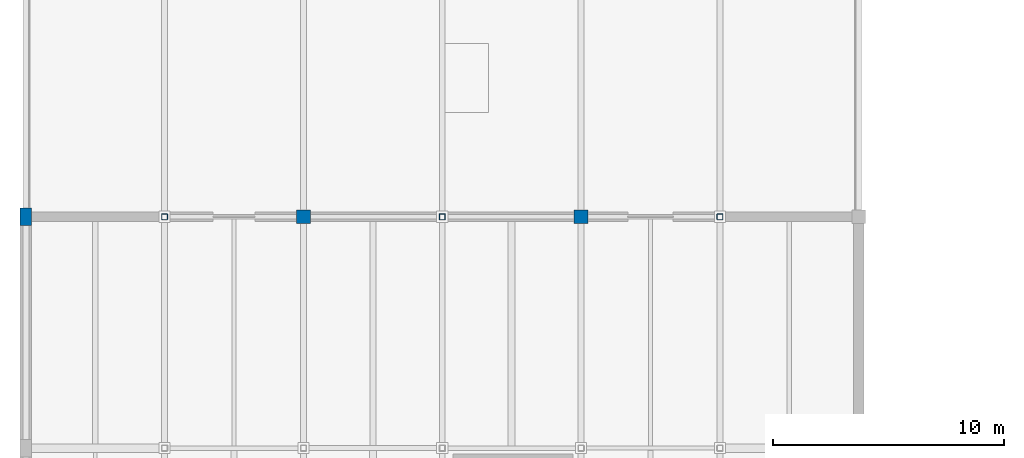
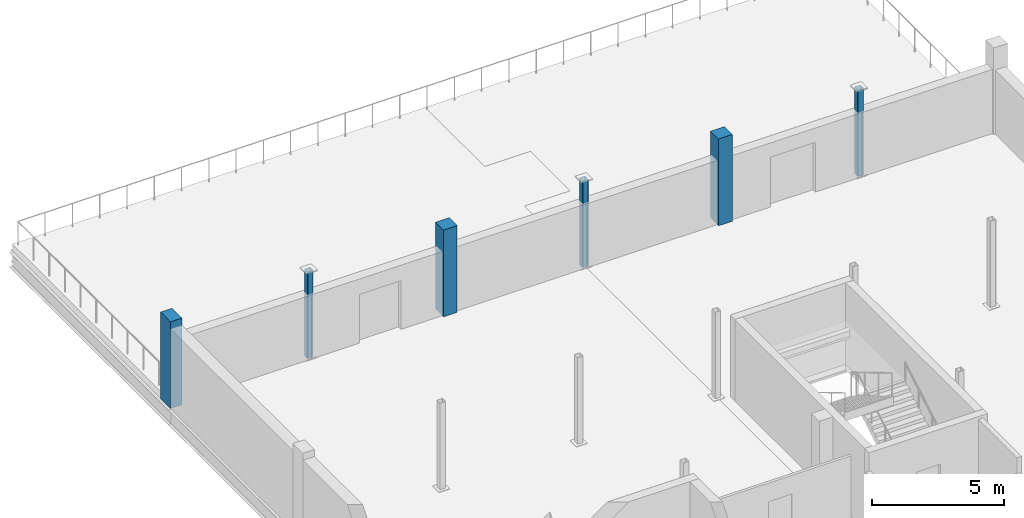
# One storey, part 11 of 96: 6 columns.
"""IFC4 building model written with IfcOpenShell, lengths in metres."""

from ifc_helpers import new_model, si_unit, direction, frame, origin, origin_2d, place, context, subcontext, project, spatial, rectangle, hollow_rectangle, extrude, material, material_profile, profile_set, type_object, element, save


model = new_model("IFC4")

# Units and contexts
model_context = context("Model", 3, precision=1e-05, world=origin(), true_north=direction((0.0, 1.0)))
body_context = subcontext(model_context, "Body", "Model", "MODEL_VIEW")
ifc_project = project(units=[si_unit("LENGTHUNIT", "METRE"), si_unit("AREAUNIT", "SQUARE_METRE"), si_unit("VOLUMEUNIT", "CUBIC_METRE"), si_unit("PLANEANGLEUNIT", "RADIAN"), si_unit("MASSUNIT", "GRAM", prefix="KILO")], contexts=[model_context])

# Site, building, storey
site_placement = place(None, origin())
site = spatial("IfcSite", under=ifc_project, at=site_placement, CompositionType="ELEMENT")
building_placement = place(site_placement, origin())
building = spatial("IfcBuilding", under=site, at=building_placement, Name="Verrall Gate Interchange", CompositionType="ELEMENT")
storey_placement = place(building_placement, frame((0.0, 0.0, 11.39990234375)))
storey = spatial("IfcBuildingStorey", under=building, at=storey_placement, Name="L03", CompositionType="ELEMENT", Elevation=11.39990234375)

# Columns
ifc_material_1 = material(Name="Concrete CSA A23.1 40 MPa (Class N)", Category="concrete")
ifc_material_profile_1 = material_profile(ifc_material_1, rectangle(XDim=0.60009765625, YDim=0.60009765625, at=origin_2d()), Name="RC600x600")
ifc_profile_set_1 = profile_set([ifc_material_profile_1], Name="Concrete CSA A23.1 40 MPa (Class N)")
column_type_1 = type_object("IfcColumnType", Name="C-04 Column RC600x600", PredefinedType="COLUMN", material=ifc_profile_set_1)
for number, where, z_axis, x_axis, name in (
    (1, (12.0, 84.0, 0.0), (0.0, 0.0, 1.0), (1.0, 0.0, 0.0), "L03 Column COL-L03-0358 (C-04)"),
    (2, (24.0, 84.0, 0.0), (0.0, 0.0, 1.0), (1.0, 0.0, 0.0), "L03 Column COL-L03-0592 (C-04)"),
):
    element("IfcColumn", number, at=place(storey_placement, frame(where, z_axis=z_axis, x_axis=x_axis)), inside=storey, type_object=column_type_1, Name=name, PredefinedType="COLUMN", context=body_context, shape_type="SweptSolid", body=[
        extrude(rectangle(XDim=0.60009765625, YDim=0.60009765625, at=origin_2d()), origin(), (0.0, 0.0, 1.0), 4.0),
    ])
ifc_material_2 = material(Name="Concrete CSA A23.1 40 MPa (Class C-1)", Category="concrete")
ifc_material_profile_2 = material_profile(ifc_material_2, rectangle(XDim=0.5, YDim=0.75, at=origin_2d()), Name="RC500x750")
ifc_profile_set_2 = profile_set([ifc_material_profile_2], Name="Concrete CSA A23.1 40 MPa (Class C-1)")
column_type_2 = type_object("IfcColumnType", Name="C-05 Pilaster RC500x750", PredefinedType="PILASTER", material=ifc_profile_set_2)
column_placement = place(storey_placement, frame((0.0, 84.0, 0.0), z_axis=(0.0, 0.0, 1.0), x_axis=(1.0, 0.0, 0.0)))
element("IfcColumn", 3, at=column_placement, inside=storey, type_object=column_type_2, Name="L03 Column COL-L03-0096 (C-05)", PredefinedType="PILASTER", context=body_context, shape_type="SweptSolid", body=[
    extrude(rectangle(XDim=0.5, YDim=0.75, at=origin_2d()), origin(), (0.0, 0.0, 1.0), 4.0),
])
ifc_material_3 = material(Name="Structural Steel CSA G40.21 350WT Cat 4", Category="steel")
ifc_material_profile_3 = material_profile(ifc_material_3, hollow_rectangle(XDim=0.25390625, YDim=0.25390625, WallThickness=0.009521484375, InnerFilletRadius=0.009521484375, OuterFilletRadius=0.01904296875, at=origin_2d()), Name="HSS254x254x9.5")
ifc_profile_set_3 = profile_set([ifc_material_profile_3], Name="Structural Steel CSA G40.21 350WT Cat 4")
column_type_3 = type_object("IfcColumnType", Name="C-13 Column HSS254x254x9.5", PredefinedType="COLUMN", material=ifc_profile_set_3)
for number, where, z_axis, x_axis, name in (
    (4, (6.0, 84.0, 0.0), (0.0, 0.0, 1.0), (1.0, 0.0, 0.0), "L03 Column COL-L03-0241 (C-13)"),
    (5, (18.0, 84.0, 0.0), (0.0, 0.0, 1.0), (1.0, 0.0, 0.0), "L03 Column COL-L03-0475 (C-13)"),
    (6, (30.0, 84.0, 0.0), (0.0, 0.0, 1.0), (1.0, 0.0, 0.0), "L03 Column COL-L03-0709 (C-13)"),
):
    element("IfcColumn", number, at=place(storey_placement, frame(where, z_axis=z_axis, x_axis=x_axis)), inside=storey, type_object=column_type_3, Name=name, PredefinedType="COLUMN", context=body_context, shape_type="SweptSolid", body=[
        extrude(hollow_rectangle(XDim=0.25390625, YDim=0.25390625, WallThickness=0.009521484375, InnerFilletRadius=0.009521484375, OuterFilletRadius=0.01904296875, at=origin_2d()), origin(), (0.0, 0.0, 1.0), 4.0),
    ])

save(model, "model.ifc")
